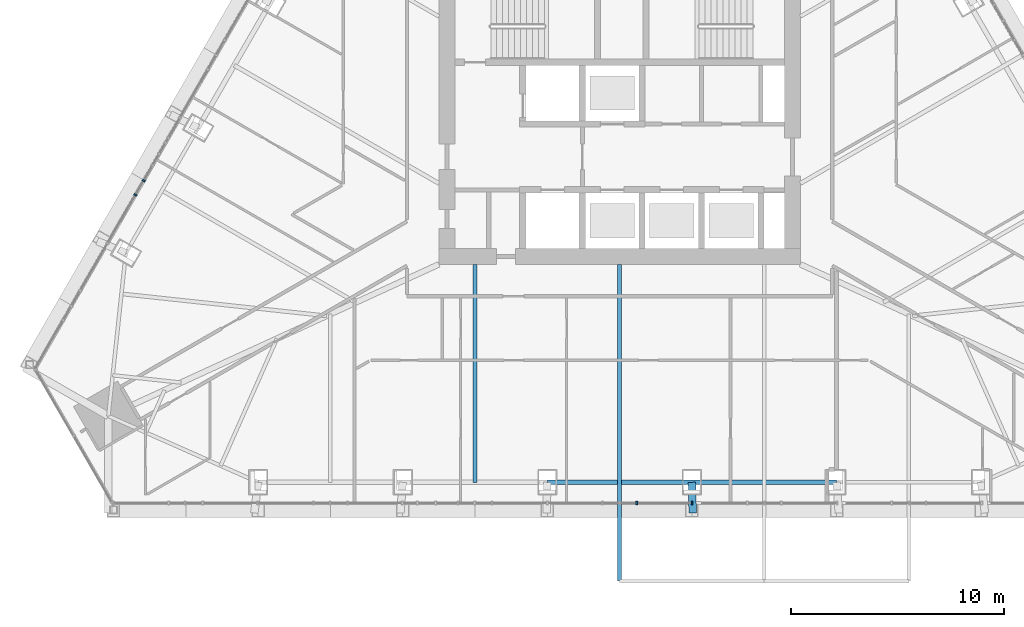
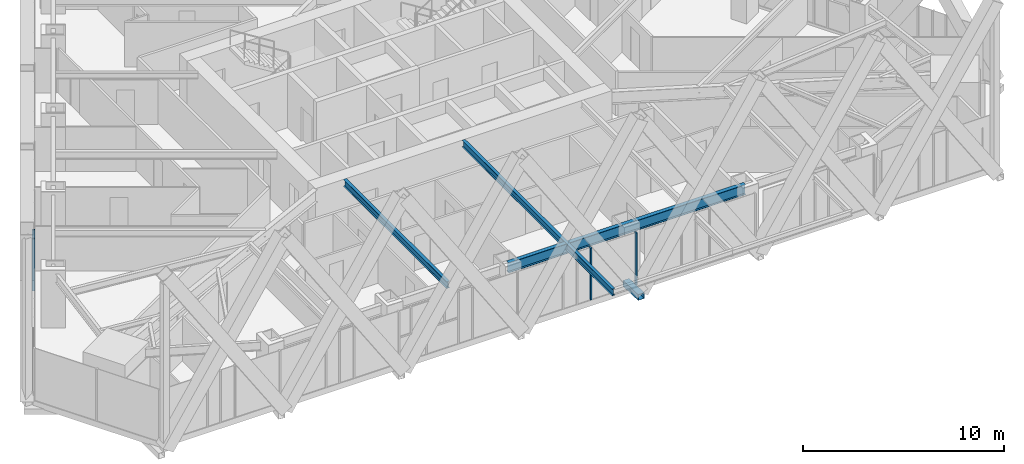
# One storey, part 4 of 24: 5 members, 3 beams, 2 elements without a shape of their own.
"""IFC4 building model written with IfcOpenShell, lengths in metres."""

from ifc_helpers import new_model, si_unit, direction, frame, origin, origin_2d, place, context, subcontext, project, spatial, rectangle, hollow_rectangle, i_section, extrude, material, layer, layer_set, material_profile, profile_set, type_object, element, aggregate, save


model = new_model("IFC4")

# Units and contexts
model_context = context("Model", 3, precision=1e-05, world=origin(), true_north=direction((0.0, 1.0)))
body_context = subcontext(model_context, "Body", "Model", "MODEL_VIEW")
ifc_project = project(units=[si_unit("LENGTHUNIT", "METRE"), si_unit("AREAUNIT", "SQUARE_METRE"), si_unit("VOLUMEUNIT", "CUBIC_METRE"), si_unit("PLANEANGLEUNIT", "RADIAN"), si_unit("MASSUNIT", "GRAM", prefix="KILO")], contexts=[model_context])

# Site, building, storey
site_placement = place(None, origin())
site = spatial("IfcSite", under=ifc_project, at=site_placement, CompositionType="ELEMENT")
building_placement = place(site_placement, origin())
building = spatial("IfcBuilding", under=site, at=building_placement, Name="Firuza Gate Tower and Library", CompositionType="ELEMENT")
storey_placement = place(building_placement, frame((0.0, 0.0, 260.10009765625)))
storey = spatial("IfcBuildingStorey", under=building, at=storey_placement, Name="L61", CompositionType="ELEMENT", Elevation=260.10009765625)

# Curtain wall, members
ifc_material_1 = material(Name="Aluminium 6063-T6", Category="aluminium")
ifc_layer = layer(ifc_material_1, 0.14990234375)
ifc_layer_set = layer_set([ifc_layer], Name="Unitised curtain wall, residences")
curtain_wall_type = type_object("IfcCurtainWallType", Name="Unitised curtain wall, residences", PredefinedType="NOTDEFINED", material=ifc_layer_set)
placement = place(storey_placement, origin())
curtain_wall_1 = element("IfcCurtainWall", 1, at=placement, inside=storey, type_object=curtain_wall_type, Name="CW3 L61 S face", PredefinedType="NOTDEFINED")
ifc_material_2 = material(Name="Aluminium 6063-T6", Category="aluminium")
ifc_material_profile_1 = material_profile(ifc_material_2, rectangle(XDim=0.14990234375, YDim=0.080078125, at=origin_2d()))
ifc_profile_set_1 = profile_set([ifc_material_profile_1], Name="Aluminium 6063-T6")
member_type_1 = type_object("IfcMemberType", Name="Curtain wall mullion 80x150", PredefinedType="MULLION", material=ifc_profile_set_1)
member_1_placement = place(storey_placement, frame((78.40625, 57.027099609375, 0.14990234375), z_axis=(0.0, 0.0, 1.0), x_axis=(0.0, 1.0, 0.0)))
member_1 = element("IfcMember", 2, at=member_1_placement, type_object=member_type_1, Name="Mullion", PredefinedType="MULLION", context=body_context, shape_type="SweptSolid", body=[
    extrude(rectangle(XDim=0.14990234375, YDim=0.080078125, at=origin_2d()), origin(), (0.0, 0.0, 1.0), 3.14990234375),
])
member_2_placement = place(storey_placement, frame((75.80078125, 57.027099609375, 0.14990234375), z_axis=(0.0, 0.0, 1.0), x_axis=(0.0, 1.0, 0.0)))
member_2 = element("IfcMember", 3, at=member_2_placement, type_object=member_type_1, Name="Mullion", PredefinedType="MULLION", context=body_context, shape_type="SweptSolid", body=[
    extrude(rectangle(XDim=0.14990234375, YDim=0.080078125, at=origin_2d()), origin(), (0.0, 0.0, 1.0), 3.14990234375),
])
aggregate(curtain_wall_1, [member_1, member_2])

curtain_wall_2 = element("IfcCurtainWall", 4, at=placement, inside=storey, type_object=curtain_wall_type, Name="CW3 L61 W face", PredefinedType="NOTDEFINED")
member_3_placement = place(storey_placement, frame((52.62255859375, 72.18701171875, 0.14990234375), z_axis=(0.0, 0.0, 1.0), x_axis=(0.866025403784, -0.5, 0.0)))
member_3 = element("IfcMember", 5, at=member_3_placement, type_object=member_type_1, Name="Mullion", PredefinedType="MULLION", context=body_context, shape_type="SweptSolid", body=[
    extrude(rectangle(XDim=0.14990234375, YDim=0.080078125, at=origin_2d()), origin(), (0.0, 0.0, 1.0), 3.14990234375),
])
member_4_placement = place(storey_placement, frame((52.234619140625, 71.514892578125, 0.14990234375), z_axis=(0.0, 0.0, 1.0), x_axis=(0.866025403784, -0.5, 0.0)))
member_4 = element("IfcMember", 6, at=member_4_placement, type_object=member_type_1, Name="Mullion", PredefinedType="MULLION", context=body_context, shape_type="SweptSolid", body=[
    extrude(rectangle(XDim=0.14990234375, YDim=0.080078125, at=origin_2d()), origin(), (0.0, 0.0, 1.0), 3.14990234375),
])
aggregate(curtain_wall_2, [member_3, member_4])

# Member
ifc_material_3 = material(Name="Steel S355", Category="steel")
ifc_material_profile_2 = material_profile(ifc_material_3, hollow_rectangle(XDim=0.355712890625, YDim=0.355712890625, WallThickness=0.014892578125, at=origin_2d()))
ifc_profile_set_2 = profile_set([ifc_material_profile_2], Name="Steel S355")
member_type_2 = type_object("IfcMemberType", Name="HSS356x356x16 Lattice node tie", PredefinedType="BRACE", material=ifc_profile_set_2)
member_5_placement = place(storey_placement, frame((78.39990234375, 58.002197265625, -0.320068359375), z_axis=(0.024840202988, -0.999691434551, 0.0), x_axis=(0.999691434551, 0.024840202988, 0.0)))
element("IfcMember", 7, at=member_5_placement, inside=storey, type_object=member_type_2, Name="Lattice node tie S L61 379", PredefinedType="BRACE", context=body_context, shape_type="SweptSolid", body=[
    extrude(hollow_rectangle(XDim=0.355712890625, YDim=0.355712890625, WallThickness=0.014892578125, at=origin_2d()), origin(), (0.0, 0.0, 1.0), 1.44482421875),
])

# Beams
ifc_material_4 = material(Name="Steel S355", Category="steel")
ifc_material_profile_3 = material_profile(ifc_material_4, i_section(OverallWidth=0.177978515625, OverallDepth=0.406982421875, WebThickness=0.0078125, FlangeThickness=0.0126953125, at=origin_2d()))
ifc_profile_set_3 = profile_set([ifc_material_profile_3], Name="Steel S355")
beam_type_1 = type_object("IfcBeamType", Name="W410x60 Floor beam", PredefinedType="JOIST", material=ifc_profile_set_3)
beam_1_placement = place(storey_placement, frame((68.199951171875, 58.002197265625, 3.096435546875), z_axis=(0.0, 1.0, 0.0), x_axis=(-1.0, 0.0, 0.0)))
element("IfcBeam", 8, at=beam_1_placement, inside=storey, type_object=beam_type_1, Name="Floor beam L61 s21", PredefinedType="JOIST", context=body_context, shape_type="SweptSolid", body=[
    extrude(i_section(OverallWidth=0.177978515625, OverallDepth=0.406982421875, WebThickness=0.0078125, FlangeThickness=0.0126953125, at=origin_2d()), origin(), (0.0, 0.0, 1.0), 10.247802734375),
])
beam_2_placement = place(storey_placement, frame((75.0, 53.35205078125, 3.096435546875), z_axis=(0.0, 1.0, 0.0), x_axis=(-1.0, 0.0, 0.0)))
element("IfcBeam", 9, at=beam_2_placement, inside=storey, type_object=beam_type_1, Name="Floor beam L61 s22", PredefinedType="JOIST", context=body_context, shape_type="SweptSolid", body=[
    extrude(i_section(OverallWidth=0.177978515625, OverallDepth=0.406982421875, WebThickness=0.0078125, FlangeThickness=0.0126953125, at=origin_2d()), origin(), (0.0, 0.0, 1.0), 14.89794921875),
])
ifc_material_5 = material(Name="Steel S355", Category="steel")
ifc_material_profile_4 = material_profile(ifc_material_5, i_section(OverallWidth=0.22900390625, OverallDepth=0.612060546875, WebThickness=0.011962890625, FlangeThickness=0.01953125, at=origin_2d()))
ifc_profile_set_4 = profile_set([ifc_material_profile_4], Name="Steel S355")
beam_type_2 = type_object("IfcBeamType", Name="W610x125 Edge beam", PredefinedType="SPANDREL", material=ifc_profile_set_4)
beam_3_placement = place(storey_placement, frame((71.60009765625, 58.002197265625, 2.993896484375), z_axis=(1.0, 0.0, 0.0), x_axis=(0.0, 1.0, 0.0)))
element("IfcBeam", 10, at=beam_3_placement, inside=storey, type_object=beam_type_2, Name="Edge beam L61 e22", PredefinedType="SPANDREL", context=body_context, shape_type="SweptSolid", body=[
    extrude(i_section(OverallWidth=0.22900390625, OverallDepth=0.612060546875, WebThickness=0.011962890625, FlangeThickness=0.01953125, at=origin_2d()), origin(), (0.0, 0.0, 1.0), 13.599853515625),
])

save(model, "model.ifc")
